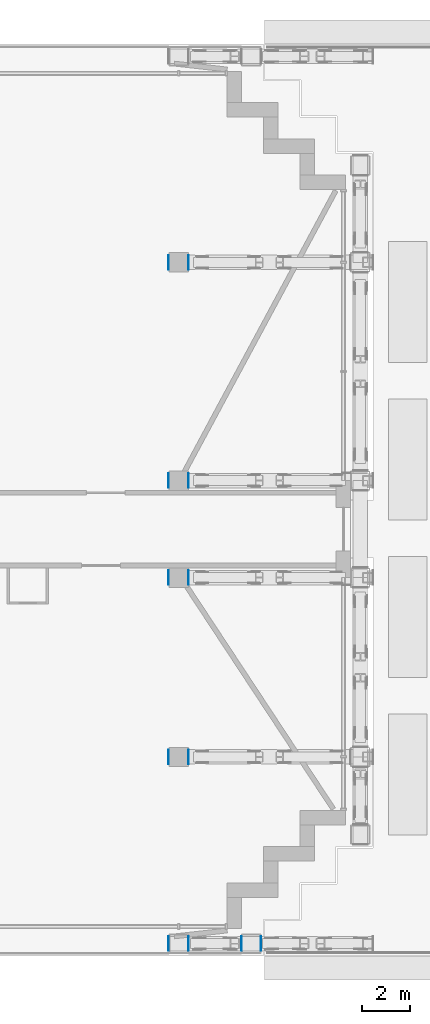
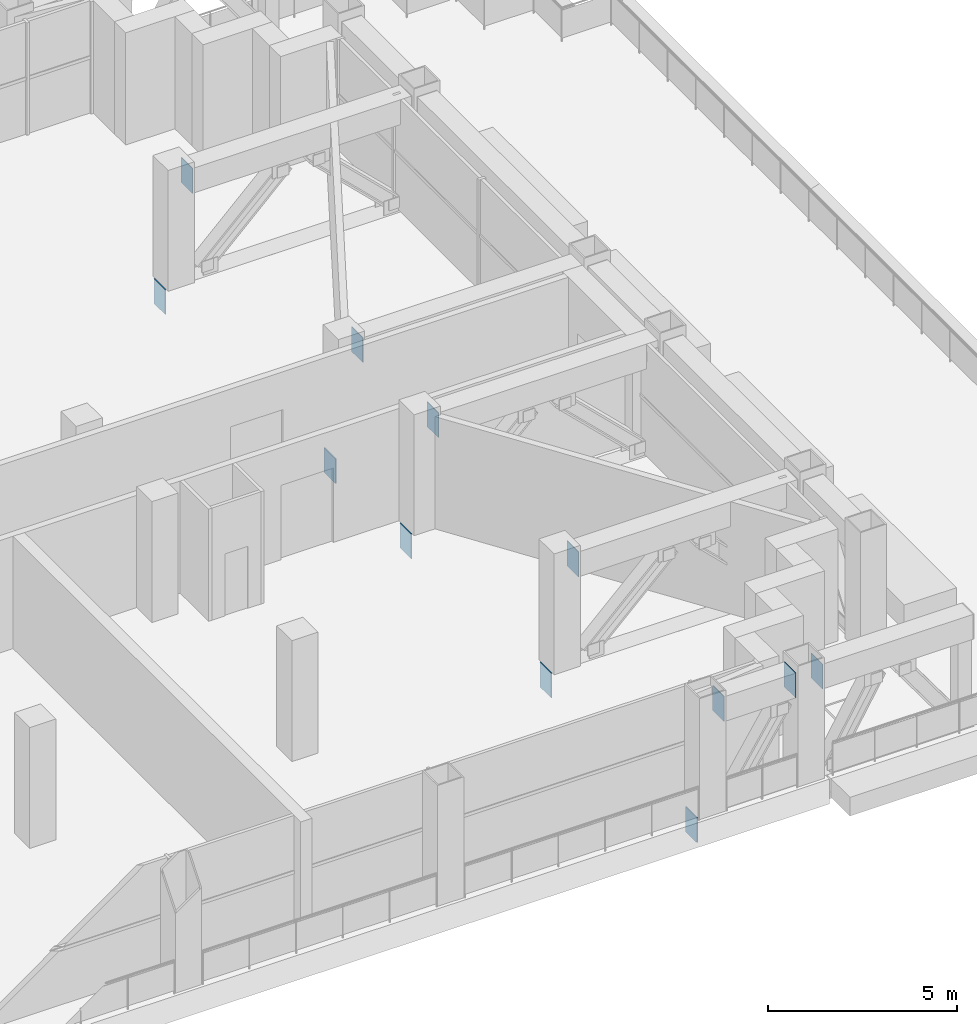
# One storey, part 13 of 25: 12 discrete accessories.
"""IFC4 building model written with IfcOpenShell, lengths in metres."""

from ifc_helpers import new_model, si_unit, direction, frame, origin, origin_2d, place, context, subcontext, project, spatial, rectangle, extrude, element, save


model = new_model("IFC4")

# Units and contexts
model_context = context("Model", 3, precision=1e-05, world=origin(), true_north=direction((0.0, 1.0)))
body_context = subcontext(model_context, "Body", "Model", "MODEL_VIEW")
ifc_project = project(units=[si_unit("LENGTHUNIT", "METRE"), si_unit("AREAUNIT", "SQUARE_METRE"), si_unit("VOLUMEUNIT", "CUBIC_METRE"), si_unit("PLANEANGLEUNIT", "RADIAN"), si_unit("MASSUNIT", "GRAM", prefix="KILO")], contexts=[model_context])

# Site, building, storey
site_placement = place(None, origin())
site = spatial("IfcSite", under=ifc_project, at=site_placement, CompositionType="ELEMENT")
building_placement = place(site_placement, origin())
building = spatial("IfcBuilding", under=site, at=building_placement, Name="Vidyagriha Tower", CompositionType="ELEMENT")
storey_placement = place(building_placement, frame((0.0, 0.0, 115.89990234375)))
storey = spatial("IfcBuildingStorey", under=building, at=storey_placement, Name="L29", CompositionType="ELEMENT", Elevation=115.89990234375)

# Discrete accessories
for number, where, z_axis, x_axis, name in (
    (1, (25.5849609375, -17.10009765625, -0.7998046875), (0.0, 0.0, 1.0), (-1.0, 0.0, 0.0), "Chord end plate"),
    (2, (25.5849609375, -9.39990234375, -0.7998046875), (0.0, 0.0, 1.0), (-1.0, 0.0, 0.0), "Chord end plate"),
    (3, (25.5849609375, -2.0, -0.7998046875), (0.0, 0.0, 1.0), (-1.0, 0.0, 0.0), "Chord end plate"),
    (4, (25.5849609375, 2.0, -0.7998046875), (0.0, 0.0, 1.0), (-1.0, 0.0, 0.0), "Chord end plate"),
    (5, (25.5849609375, 11.0, -0.7998046875), (0.0, 0.0, 1.0), (-1.0, 0.0, 0.0), "Chord end plate"),
):
    element("IfcDiscreteAccessory", number, at=place(storey_placement, frame(where, z_axis=z_axis, x_axis=x_axis)), inside=storey, Name=name, ObjectType="END PLATE", PredefinedType="USERDEFINED", context=body_context, shape_type="SweptSolid", body=[
        extrude(rectangle(XDim=0.030029296875, YDim=0.60009765625, at=origin_2d()), origin(), (0.0, 0.0, 1.0), 0.800048828125),
    ])
discrete_accessory_1_placement = place(storey_placement, frame((26.40966796875, -17.10009765625, 2.8203125), z_axis=(0.0, 0.0, 1.0), x_axis=(-1.0, 0.0, 0.0)))
element("IfcDiscreteAccessory", 6, at=discrete_accessory_1_placement, inside=storey, Name="End plate ASTM A572 Grade 50 20mm", ObjectType="END PLATE", PredefinedType="USERDEFINED", context=body_context, shape_type="SweptSolid", body=[
    extrude(rectangle(XDim=0.02001953125, YDim=0.60009765625, at=origin_2d()), origin(), (0.0, 0.0, 1.0), 0.800048828125),
])
discrete_accessory_2_placement = place(storey_placement, frame((28.59033203125, -17.10009765625, 2.8203125)))
element("IfcDiscreteAccessory", 7, at=discrete_accessory_2_placement, inside=storey, Name="End plate ASTM A572 Grade 50 20mm", ObjectType="END PLATE", PredefinedType="USERDEFINED", context=body_context, shape_type="SweptSolid", body=[
    extrude(rectangle(XDim=0.02001953125, YDim=0.60009765625, at=origin_2d()), origin(), (0.0, 0.0, 1.0), 0.800048828125),
])
for number, where, z_axis, x_axis, name in (
    (8, (29.40966796875, -17.10009765625, 2.8203125), (0.0, 0.0, 1.0), (-1.0, 0.0, 0.0), "End plate ASTM A572 Grade 50 20mm"),
    (9, (26.40966796875, -9.39990234375, 2.8203125), (0.0, 0.0, 1.0), (-1.0, 0.0, 0.0), "End plate ASTM A572 Grade 50 20mm"),
    (10, (26.40966796875, -2.0, 2.8203125), (0.0, 0.0, 1.0), (-1.0, 0.0, 0.0), "End plate ASTM A572 Grade 50 20mm"),
    (11, (26.40966796875, 2.0, 2.8203125), (0.0, 0.0, 1.0), (-1.0, 0.0, 0.0), "End plate ASTM A572 Grade 50 20mm"),
    (12, (26.40966796875, 11.0, 2.8203125), (0.0, 0.0, 1.0), (-1.0, 0.0, 0.0), "End plate ASTM A572 Grade 50 20mm"),
):
    element("IfcDiscreteAccessory", number, at=place(storey_placement, frame(where, z_axis=z_axis, x_axis=x_axis)), inside=storey, Name=name, ObjectType="END PLATE", PredefinedType="USERDEFINED", context=body_context, shape_type="SweptSolid", body=[
        extrude(rectangle(XDim=0.02001953125, YDim=0.60009765625, at=origin_2d()), origin(), (0.0, 0.0, 1.0), 0.800048828125),
    ])

save(model, "model.ifc")
